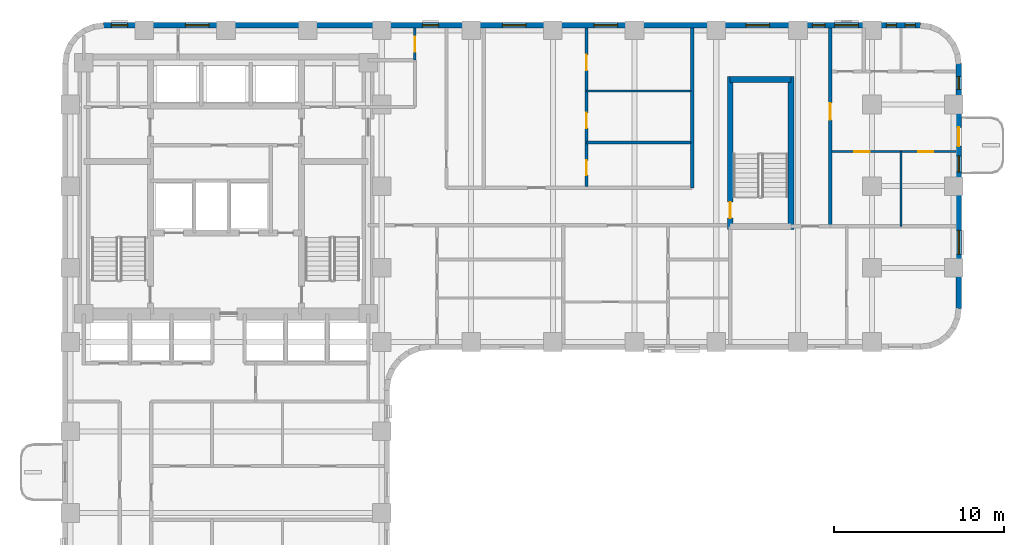
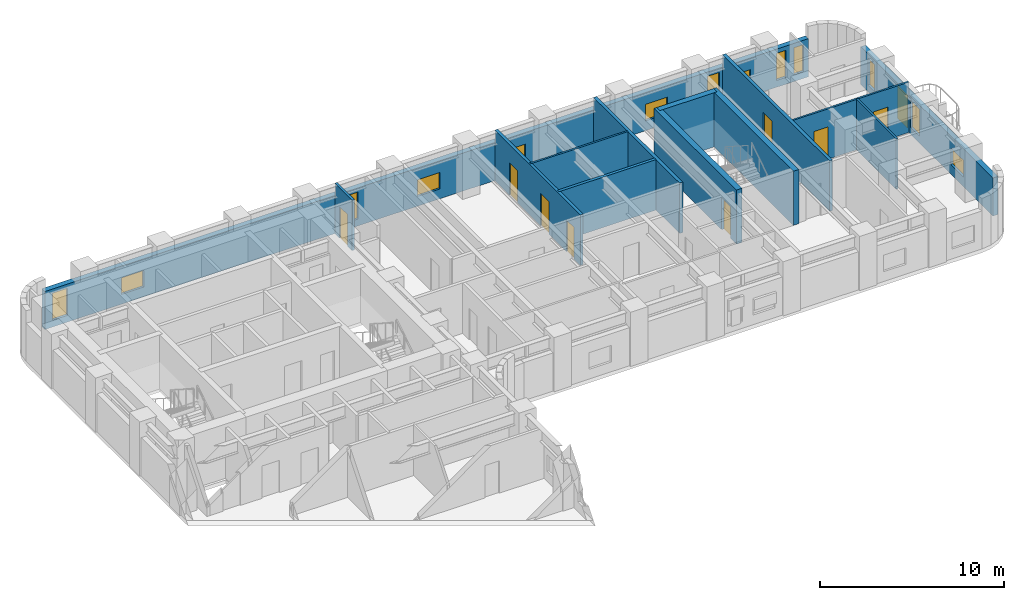
# One storey, part 8 of 12: 13 walls, 13 windows, 9 doors, 22 openings.
"""IFC4 building model written with IfcOpenShell, lengths in metres."""

import ifcopenshell
import ifcopenshell.guid

model = None  # the IFC model being written
_history = None  # IfcOwnerHistory: only IFC2X3 demands one
_inside = {}  # id of a spatial element -> (the spatial element, [elements in it])
_under = {}  # id of a project, library or spatial element -> (it, [spatial elements below it])
_declared = {}  # id of a project -> (the project, [libraries it declares])
_typed = {}  # id of a type object -> (the type object, [elements of that type])
_made_of = {}  # id of a material, layer set ... -> (it, [elements and type objects made of it])


def new_model(schema):
    """Start an empty IFC model of exactly this schema.

    Asked for "IFC4X3", IfcOpenShell would pick the latest addendum, in which some entities
    have other attributes; the version numbers below select the first issue.
    IFC2X3 requires an IfcOwnerHistory on every rooted entity: one is made here for all.
    """
    global model, _history
    if schema == "IFC4X3":
        model = ifcopenshell.file(schema_version=(4, 3, 0, 0))
    else:
        model = ifcopenshell.file(schema=schema)
    _inside.clear()
    _under.clear()
    _declared.clear()
    _typed.clear()
    _made_of.clear()
    _history = None
    if model.schema == "IFC2X3":
        org = make("IfcOrganization", Name="unknown")
        user = make(
            "IfcPersonAndOrganization",
            ThePerson=make("IfcPerson", FamilyName="unknown"),
            TheOrganization=org,
        )
        app = make(
            "IfcApplication",
            ApplicationDeveloper=org,
            Version="unknown",
            ApplicationFullName="unknown",
            ApplicationIdentifier="unknown",
        )
        _history = make(
            "IfcOwnerHistory",
            OwningUser=user,
            OwningApplication=app,
            ChangeAction="ADDED",
            CreationDate=0,
        )
    return model


def make(cls, **values):
    """One entity of the class cls with the attributes given. An attribute that is None is left unset."""
    return model.create_entity(
        cls, **{name: value for name, value in values.items() if value is not None}
    )


def rooted(cls, **values):
    """An entity with a GlobalId (a new one), such as an element, a storey or a relation."""
    return make(cls, GlobalId=ifcopenshell.guid.new(), OwnerHistory=_history, **values)


def si_unit(unit_type, name, prefix=None):
    """IfcSIUnit, for example si_unit("LENGTHUNIT", "METRE", prefix="MILLI")."""
    return make("IfcSIUnit", UnitType=unit_type, Prefix=prefix, Name=name)


def assignment(units):
    """IfcUnitAssignment: the units of a project."""
    return None if units is None else make("IfcUnitAssignment", Units=units)


def point(xyz):
    """IfcCartesianPoint."""
    return None if xyz is None else make("IfcCartesianPoint", Coordinates=xyz)


def direction(xyz):
    """IfcDirection."""
    return None if xyz is None else make("IfcDirection", DirectionRatios=xyz)


def frame(location, z_axis=None, x_axis=None):
    """IfcAxis2Placement3D, a coordinate frame: its origin and axes. An axis left out is left unset."""
    return make(
        "IfcAxis2Placement3D",
        Location=point(location),
        Axis=direction(z_axis),
        RefDirection=direction(x_axis),
    )


def frame_2d(location, x_axis=None):
    """IfcAxis2Placement2D, a coordinate frame in the plane: its origin and x axis."""
    return make(
        "IfcAxis2Placement2D", Location=point(location), RefDirection=direction(x_axis)
    )


def origin():
    """The frame at (0, 0, 0) with its axes left unset."""
    return frame((0.0, 0.0, 0.0))


def place(relative_to, where):
    """IfcLocalPlacement: puts the frame where relative to a parent placement (None: the world)."""
    return make(
        "IfcLocalPlacement", PlacementRelTo=relative_to, RelativePlacement=where
    )


def context(
    kind, dimensions, precision=None, world=None, true_north=None, identifier=None
):
    """IfcGeometricRepresentationContext, for example the 3D "Model" context."""
    return make(
        "IfcGeometricRepresentationContext",
        ContextIdentifier=identifier,
        ContextType=kind,
        CoordinateSpaceDimension=dimensions,
        Precision=precision,
        WorldCoordinateSystem=world,
        TrueNorth=true_north,
    )


def subcontext(parent, identifier, kind, view, scale=None):
    """IfcGeometricRepresentationSubContext, for example "Body" below "Model"."""
    return make(
        "IfcGeometricRepresentationSubContext",
        ContextIdentifier=identifier,
        ContextType=kind,
        ParentContext=parent,
        TargetScale=scale,
        TargetView=view,
    )


def project(units=None, contexts=None):
    """IfcProject with its units and contexts."""
    return rooted(
        "IfcProject",
        Name="project",
        RepresentationContexts=contexts,
        UnitsInContext=assignment(units),
    )


def spatial(cls, under=None, at=None, **own):
    """A site, building, storey or space (cls), placed at a placement, below another one or the project."""
    s = rooted(cls, ObjectPlacement=at, **own)
    if under is not None:
        _under.setdefault(under.id(), (under, []))[1].append(s)
    return s


def profile(cls, at=None, kind="AREA", **sizes):
    """A parametric profile (cls). Its sizes go by their IFC names, for example OverallWidth=200.0."""
    return make(cls, ProfileType=kind, Position=at, **sizes)


def rectangle(**sizes):
    """IfcRectangleProfileDef."""
    return profile("IfcRectangleProfileDef", **sizes)


def extrude(swept, where, along, depth):
    """IfcExtrudedAreaSolid: the profile swept, set in the frame where, extruded along a direction by depth."""
    return make(
        "IfcExtrudedAreaSolid",
        SweptArea=swept,
        Position=where,
        ExtrudedDirection=direction(along),
        Depth=depth,
    )


def shape(context_of_items, identifier, shape_type, items):
    """IfcShapeRepresentation: the items that make up one representation, for example the "Body"."""
    return make(
        "IfcShapeRepresentation",
        ContextOfItems=context_of_items,
        RepresentationIdentifier=identifier,
        RepresentationType=shape_type,
        Items=items,
    )


def material(Name=None, Category=None):
    """IfcMaterial."""
    return make("IfcMaterial", Name=Name, Category=Category)


def layer(
    of_material, thickness, ventilated=None, Name=None, Category=None, Priority=None
):
    """IfcMaterialLayer: one layer of a wall or slab, of a material (None: an air gap)."""
    return make(
        "IfcMaterialLayer",
        Material=of_material,
        LayerThickness=thickness,
        IsVentilated=ventilated,
        Name=Name,
        Category=Category,
        Priority=Priority,
    )


def layer_set(layers, Name=None):
    """IfcMaterialLayerSet."""
    return make("IfcMaterialLayerSet", MaterialLayers=layers, LayerSetName=Name)


def made_of(thing, what):
    """Note that an element or type object is made of a material, layer set ...; save() writes the relation."""
    if what is not None:
        _made_of.setdefault(what.id(), (what, []))[1].append(thing)
    return thing


def type_object(cls, material=None, **own):
    """A type object (cls), such as IfcWallType, which elements share."""
    return made_of(rooted(cls, **own), material)


def element(
    cls,
    number,
    at=None,
    inside=None,
    cuts=None,
    type_object=None,
    material=None,
    context=None,
    identifier="Body",
    shape_type=None,
    held_by="IfcProductDefinitionShape",
    body=None,
    shapes=None,
    **own,
):
    """One element of the class cls, such as IfcWall. Its Tag is "e" and its number.

    at: its placement. inside: the storey or other place that contains it. cuts: it is an
    opening in that element (IfcRelVoidsElement). A single representation is given by context,
    identifier, shape_type and body (its items); several are given by shapes. held_by: the class
    of the entity that holds the representations. save() writes the other relations.
    """
    e = rooted(cls, Tag="e%d" % number, ObjectPlacement=at, **own)
    if body is not None:
        shapes = [shape(context, identifier, shape_type, body)]
    if shapes is not None:
        e.Representation = make(held_by, Representations=shapes)
    if inside is not None:
        _inside.setdefault(inside.id(), (inside, []))[1].append(e)
    if cuts is not None:
        rooted(
            "IfcRelVoidsElement", RelatingBuildingElement=cuts, RelatedOpeningElement=e
        )
    if type_object is not None:
        _typed.setdefault(type_object.id(), (type_object, []))[1].append(e)
    return made_of(e, material)


def fill(opening, filler):
    """IfcRelFillsElement: the door or window that sits in an opening."""
    return rooted(
        "IfcRelFillsElement",
        RelatingOpeningElement=opening,
        RelatedBuildingElement=filler,
    )


def aggregate(whole, parts):
    """IfcRelAggregates: a whole, such as a stair, and the parts it consists of."""
    return rooted("IfcRelAggregates", RelatingObject=whole, RelatedObjects=parts)


def save(model, path):
    """Write the relations noted so far, then the file.

    IfcRelAggregates (storeys below a building ...), IfcRelContainedInSpatialStructure (elements
    in a storey), IfcRelDefinesByType, IfcRelAssociatesMaterial and IfcRelDeclares: one each for
    every whole, place, type object, material and project.
    """
    for whole, parts in _under.values():
        aggregate(whole, parts)
    for where, things in _inside.values():
        rooted(
            "IfcRelContainedInSpatialStructure",
            RelatedElements=things,
            RelatingStructure=where,
        )
    for kind, things in _typed.values():
        rooted("IfcRelDefinesByType", RelatedObjects=things, RelatingType=kind)
    for what, things in _made_of.values():
        rooted("IfcRelAssociatesMaterial", RelatedObjects=things, RelatingMaterial=what)
    for by, libraries in _declared.values():
        rooted("IfcRelDeclares", RelatingContext=by, RelatedDefinitions=libraries)
    model.write(path)


model = new_model("IFC4")

# Units and contexts
model_context = context("Model", 3, precision=1e-05, world=origin(), true_north=direction((0.0, 1.0)))
body_context = subcontext(model_context, "Body", "Model", "MODEL_VIEW")
ifc_project = project(units=[si_unit("LENGTHUNIT", "METRE"), si_unit("AREAUNIT", "SQUARE_METRE"), si_unit("VOLUMEUNIT", "CUBIC_METRE"), si_unit("PLANEANGLEUNIT", "RADIAN"), si_unit("MASSUNIT", "GRAM", prefix="KILO")], contexts=[model_context])

# Site, building, storey
site_placement = place(None, origin())
site = spatial("IfcSite", under=ifc_project, at=site_placement, CompositionType="ELEMENT")
building_placement = place(site_placement, origin())
building = spatial("IfcBuilding", under=site, at=building_placement, Name="Orvandelia Arch Residences", CompositionType="ELEMENT")
storey_placement = place(building_placement, frame((0.0, 0.0, 71.800048828125)))
storey = spatial("IfcBuildingStorey", under=building, at=storey_placement, Name="L18", CompositionType="ELEMENT", Elevation=71.800048828125)

# Wall, opening, door
ifc_material_1 = material(Name="Concrete C50/60", Category="concrete")
ifc_layer_1 = layer(ifc_material_1, 0.35009765625, Name="Concrete C50/60", Category="concrete")
ifc_layer_set_1 = layer_set([ifc_layer_1], Name="Concrete C50/60")
wall_type_1 = type_object("IfcWallType", Name="WL-CORE-350", PredefinedType="SHEAR", material=ifc_layer_set_1)
wall_1_placement = place(storey_placement, frame((44.02001953125, 35.864990234375, 0.0), z_axis=(0.0, 0.0, 1.0), x_axis=(0.0, 1.0, 0.0)))
wall_1 = element("IfcWall", 1, at=wall_1_placement, inside=storey, type_object=wall_type_1, Name="East Stair Core Shear Wall L18-W", PredefinedType="SHEAR", context=body_context, shape_type="SweptSolid", body=[
    extrude(rectangle(XDim=8.969970703125, YDim=0.35009765625, at=frame_2d((4.48486328125, 0.0))), origin(), (0.0, 0.0, 1.0), 3.599853515625),
])
opening_1_placement = place(wall_1_placement, frame((0.64990234375, 0.0, 0.0)))
opening_1 = element("IfcOpeningElement", 2, at=opening_1_placement, cuts=wall_1, Name="Opening D7", PredefinedType="OPENING", context=body_context, shape_type="SweptSolid", body=[
    extrude(rectangle(XDim=0.949951171875, YDim=2.10009765625, at=frame_2d((0.47509765625, 1.050048828125))), frame((0.0, 0.18505859375, 0.0), z_axis=(0.0, -1.0, 0.0), x_axis=(1.0, 0.0, 0.0)), (0.0, 0.0, 1.0), 0.3701171875),
])
ifc_material_2 = material(Name="Pressurised Stairwell Fire Door")
door_type_1 = type_object("IfcDoorType", Name="DR-STAIR-950", OperationType="NOTDEFINED", PredefinedType="DOOR", material=ifc_material_2)
door_1_placement = place(opening_1_placement, origin())
door_1 = element("IfcDoor", 3, at=door_1_placement, inside=storey, type_object=door_type_1, Name="East Stairwell ST-3 Fire Door L18", OperationType="SINGLE_SWING_LEFT", OverallHeight=2.10009765625, OverallWidth=0.949951171875, PredefinedType="DOOR", context=body_context, shape_type="SweptSolid", body=[
    extrude(rectangle(XDim=0.949951171875, YDim=2.10009765625, at=frame_2d((0.47509765625, 1.050048828125))), frame((0.0, 0.02490234375, 0.0), z_axis=(0.0, -1.0, 0.0), x_axis=(1.0, 0.0, 0.0)), (0.0, 0.0, 1.0), 0.050048828125),
])
fill(opening_1, door_1)

# Walls
wall_2_placement = place(storey_placement, frame((47.60009765625, 35.864990234375, 0.0), z_axis=(0.0, 0.0, 1.0), x_axis=(0.0, 1.0, 0.0)))
element("IfcWall", 4, at=wall_2_placement, inside=storey, type_object=wall_type_1, Name="East Stair Core Shear Wall L18-E", PredefinedType="SHEAR", context=body_context, shape_type="SweptSolid", body=[
    extrude(rectangle(XDim=8.969970703125, YDim=0.35009765625, at=frame_2d((4.48486328125, 0.0))), origin(), (0.0, 0.0, 1.0), 3.599853515625),
])
wall_3_placement = place(storey_placement, frame((44.02001953125, 44.659912109375, 0.0), z_axis=(0.0, 0.0, 1.0), x_axis=(1.0, 0.0, 0.0)))
element("IfcWall", 5, at=wall_3_placement, inside=storey, type_object=wall_type_1, Name="East Stair Core Shear Wall L18-N", PredefinedType="SHEAR", context=body_context, shape_type="SweptSolid", body=[
    extrude(rectangle(XDim=3.580078125, YDim=0.35009765625, at=frame_2d((1.7900390625, 0.0))), origin(), (0.0, 0.0, 1.0), 3.599853515625),
])
ifc_material_3 = material(Name="Fire-Rated Corridor Partition")
ifc_layer_2 = layer(ifc_material_3, 0.199951171875, Name="Fire-Rated Corridor Partition")
ifc_layer_set_2 = layer_set([ifc_layer_2], Name="Fire-Rated Corridor Partition")
wall_type_2 = type_object("IfcWallType", Name="WL-CORR-200", PredefinedType="PARTITIONING", material=ifc_layer_set_2)
wall_4_placement = place(storey_placement, frame((41.780029296875, 38.300048828125, 0.0), z_axis=(0.0, 0.0, 1.0), x_axis=(0.0, 1.0, 0.0)))
element("IfcWall", 6, at=wall_4_placement, inside=storey, type_object=wall_type_2, Name="Interior Partition Wall WL-L18-ETV-W", PredefinedType="PARTITIONING", context=body_context, shape_type="SweptSolid", body=[
    extrude(rectangle(XDim=9.3798828125, YDim=0.199951171875, at=frame_2d((4.68994140625, 0.0))), origin(), (0.0, 0.0, 1.0), 3.349853515625),
])

# Wall, opening, door
wall_5_placement = place(storey_placement, frame((49.89990234375, 36.0400390625, 0.0), z_axis=(0.0, 0.0, 1.0), x_axis=(0.0, 1.0, 0.0)))
wall_5 = element("IfcWall", 7, at=wall_5_placement, inside=storey, type_object=wall_type_2, Name="Interior Partition Wall WL-L18-ETE-E", PredefinedType="PARTITIONING", context=body_context, shape_type="SweptSolid", body=[
    extrude(rectangle(XDim=11.639892578125, YDim=0.199951171875, at=frame_2d((5.81982421875, 0.0))), origin(), (0.0, 0.0, 1.0), 3.349853515625),
])
opening_2_placement = place(wall_5_placement, frame((6.25146484375, 0.0, 0.0)))
opening_2 = element("IfcOpeningElement", 8, at=opening_2_placement, cuts=wall_5, Name="Opening D1", PredefinedType="OPENING", context=body_context, shape_type="SweptSolid", body=[
    extrude(rectangle(XDim=0.97998046875, YDim=2.179931640625, at=frame_2d((0.489990234375, 1.08984375))), frame((0.0, 0.10986328125, 0.0), z_axis=(0.0, -1.0, 0.0), x_axis=(1.0, 0.0, 0.0)), (0.0, 0.0, 1.0), 0.219970703125),
])
ifc_material_4 = material(Name="Solid-Core Timber Acoustic Fire Door", Category="wood")
door_type_2 = type_object("IfcDoorType", Name="DR-ENT-980", OperationType="NOTDEFINED", PredefinedType="DOOR", material=ifc_material_4)
door_2_placement = place(opening_2_placement, origin())
door_2 = element("IfcDoor", 9, at=door_2_placement, inside=storey, type_object=door_type_2, Name="Unit L18-07 Entrance Door", OperationType="SINGLE_SWING_LEFT", OverallHeight=2.179931640625, OverallWidth=0.97998046875, PredefinedType="DOOR", context=body_context, shape_type="SweptSolid", body=[
    extrude(rectangle(XDim=0.97998046875, YDim=2.179931640625, at=frame_2d((0.489990234375, 1.08984375))), frame((0.0, 0.02490234375, 0.0), z_axis=(0.0, -1.0, 0.0), x_axis=(1.0, 0.0, 0.0)), (0.0, 0.0, 1.0), 0.050048828125),
])
fill(opening_2, door_2)

# Wall, openings, windows
ifc_material_5 = material(Name="Precast concrete C40/50", Category="concrete")
ifc_layer_3 = layer(ifc_material_5, 0.320068359375, Name="Precast concrete C40/50", Category="concrete")
ifc_layer_set_3 = layer_set([ifc_layer_3], Name="Precast concrete C40/50")
wall_type_3 = type_object("IfcWallType", Name="WL-EXT-STONE-320", PredefinedType="STANDARD", material=ifc_layer_set_3)
wall_6_placement = place(storey_placement, frame((7.199951171875, 47.840087890625, 0.0), z_axis=(0.0, 0.0, 1.0), x_axis=(1.0, 0.0, 0.0)))
wall_6 = element("IfcWall", 10, at=wall_6_placement, inside=storey, type_object=wall_type_3, Name="Coral-Limestone Precast Facade Wall L18-007", PredefinedType="STANDARD", context=body_context, shape_type="SweptSolid", body=[
    extrude(rectangle(XDim=48.0, YDim=0.320068359375, at=frame_2d((24.0, 0.0))), origin(), (0.0, 0.0, 1.0), 2.530029296875),
])
opening_3_placement = place(wall_6_placement, frame((28.803466796875, 0.0, 0.64990234375)))
opening_3 = element("IfcOpeningElement", 11, at=opening_3_placement, cuts=wall_6, Name="Opening W10", PredefinedType="OPENING", context=body_context, shape_type="SweptSolid", body=[
    extrude(rectangle(XDim=1.39990234375, YDim=1.10009765625, at=frame_2d((0.699951171875, 0.550048828125))), frame((0.0, 0.169921875, 0.0), z_axis=(0.0, -1.0, 0.0), x_axis=(1.0, 0.0, 0.0)), (0.0, 0.0, 1.0), 0.340087890625),
])
opening_4_placement = place(wall_6_placement, frame((47.093994140625, 0.0, 0.449951171875)))
opening_4 = element("IfcOpeningElement", 12, at=opening_4_placement, cuts=wall_6, Name="Opening W12", PredefinedType="OPENING", context=body_context, shape_type="SweptSolid", body=[
    extrude(rectangle(XDim=0.60009765625, YDim=1.800048828125, at=frame_2d((0.300048828125, 0.89990234375))), frame((0.0, 0.169921875, 0.0), z_axis=(0.0, -1.0, 0.0), x_axis=(1.0, 0.0, 0.0)), (0.0, 0.0, 1.0), 0.340087890625),
])
opening_5_placement = place(wall_6_placement, frame((18.739990234375, 0.0, 0.449951171875)))
opening_5 = element("IfcOpeningElement", 13, at=opening_5_placement, cuts=wall_6, Name="Opening W4", PredefinedType="OPENING", context=body_context, shape_type="SweptSolid", body=[
    extrude(rectangle(XDim=0.949951171875, YDim=1.800048828125, at=frame_2d((0.47509765625, 0.89990234375))), frame((0.0, 0.169921875, 0.0), z_axis=(0.0, -1.0, 0.0), x_axis=(1.0, 0.0, 0.0)), (0.0, 0.0, 1.0), 0.340087890625),
])
opening_6_placement = place(wall_6_placement, frame((41.64990234375, 0.0, 0.449951171875)))
opening_6 = element("IfcOpeningElement", 14, at=opening_6_placement, cuts=wall_6, Name="Opening W11", PredefinedType="OPENING", context=body_context, shape_type="SweptSolid", body=[
    extrude(rectangle(XDim=0.75, YDim=1.800048828125, at=frame_2d((0.375, 0.89990234375))), frame((0.0, 0.169921875, 0.0), z_axis=(0.0, -1.0, 0.0), x_axis=(1.0, 0.0, 0.0)), (0.0, 0.0, 1.0), 0.340087890625),
])
opening_7_placement = place(wall_6_placement, frame((37.736083984375, 0.0, 0.64990234375)))
opening_7 = element("IfcOpeningElement", 15, at=opening_7_placement, cuts=wall_6, Name="Opening W10", PredefinedType="OPENING", context=body_context, shape_type="SweptSolid", body=[
    extrude(rectangle(XDim=1.39990234375, YDim=1.10009765625, at=frame_2d((0.699951171875, 0.550048828125))), frame((0.0, 0.169921875, 0.0), z_axis=(0.0, -1.0, 0.0), x_axis=(1.0, 0.0, 0.0)), (0.0, 0.0, 1.0), 0.340087890625),
])
opening_8_placement = place(wall_6_placement, frame((0.469970703125, 0.0, 0.449951171875)))
opening_8 = element("IfcOpeningElement", 16, at=opening_8_placement, cuts=wall_6, Name="Opening W4", PredefinedType="OPENING", context=body_context, shape_type="SweptSolid", body=[
    extrude(rectangle(XDim=0.949951171875, YDim=1.800048828125, at=frame_2d((0.47509765625, 0.89990234375))), frame((0.0, 0.169921875, 0.0), z_axis=(0.0, -1.0, 0.0), x_axis=(1.0, 0.0, 0.0)), (0.0, 0.0, 1.0), 0.340087890625),
])
opening_9_placement = place(wall_6_placement, frame((4.81494140625, 0.0, 0.64990234375)))
opening_9 = element("IfcOpeningElement", 17, at=opening_9_placement, cuts=wall_6, Name="Opening W10", PredefinedType="OPENING", context=body_context, shape_type="SweptSolid", body=[
    extrude(rectangle(XDim=1.39990234375, YDim=1.10009765625, at=frame_2d((0.699951171875, 0.550048828125))), frame((0.0, 0.169921875, 0.0), z_axis=(0.0, -1.0, 0.0), x_axis=(1.0, 0.0, 0.0)), (0.0, 0.0, 1.0), 0.340087890625),
])
opening_10_placement = place(wall_6_placement, frame((23.429931640625, 0.0, 0.64990234375)))
opening_10 = element("IfcOpeningElement", 18, at=opening_10_placement, cuts=wall_6, Name="Opening W10", PredefinedType="OPENING", context=body_context, shape_type="SweptSolid", body=[
    extrude(rectangle(XDim=1.39990234375, YDim=1.10009765625, at=frame_2d((0.699951171875, 0.550048828125))), frame((0.0, 0.169921875, 0.0), z_axis=(0.0, -1.0, 0.0), x_axis=(1.0, 0.0, 0.0)), (0.0, 0.0, 1.0), 0.340087890625),
])
opening_11_placement = place(wall_6_placement, frame((42.949951171875, 0.0, 0.64990234375)))
opening_11 = element("IfcOpeningElement", 19, at=opening_11_placement, cuts=wall_6, Name="Opening W10", PredefinedType="OPENING", context=body_context, shape_type="SweptSolid", body=[
    extrude(rectangle(XDim=1.39990234375, YDim=1.10009765625, at=frame_2d((0.699951171875, 0.550048828125))), frame((0.0, 0.169921875, 0.0), z_axis=(0.0, -1.0, 0.0), x_axis=(1.0, 0.0, 0.0)), (0.0, 0.0, 1.0), 0.340087890625),
])
opening_12_placement = place(wall_6_placement, frame((45.98388671875, 0.0, 0.449951171875)))
opening_12 = element("IfcOpeningElement", 20, at=opening_12_placement, cuts=wall_6, Name="Opening W12", PredefinedType="OPENING", context=body_context, shape_type="SweptSolid", body=[
    extrude(rectangle(XDim=0.60009765625, YDim=1.800048828125, at=frame_2d((0.300048828125, 0.89990234375))), frame((0.0, 0.169921875, 0.0), z_axis=(0.0, -1.0, 0.0), x_axis=(1.0, 0.0, 0.0)), (0.0, 0.0, 1.0), 0.340087890625),
])
ifc_material_6 = material(Name="Tempered Low-E Insulated Glazing", Category="glass")
window_type_1 = type_object("IfcWindowType", Name="WIN-BED-0750x1800", PartitioningType="SINGLE_PANEL", PredefinedType="WINDOW", material=ifc_material_6)
window_1_placement = place(opening_6_placement, origin())
window_1 = element("IfcWindow", 21, at=window_1_placement, inside=storey, type_object=window_type_1, Name="Recessed Punched Window L18-004", OverallHeight=1.800048828125, OverallWidth=0.75, PartitioningType="SINGLE_PANEL", PredefinedType="WINDOW", context=body_context, shape_type="SweptSolid", body=[
    extrude(rectangle(XDim=0.75, YDim=1.800048828125, at=frame_2d((0.375, 0.89990234375))), frame((0.0, 0.030029296875, 0.0), z_axis=(0.0, -1.0, 0.0), x_axis=(1.0, 0.0, 0.0)), (0.0, 0.0, 1.0), 0.06005859375),
])
fill(opening_6, window_1)
window_type_2 = type_object("IfcWindowType", Name="WIN-CLR-1400x1100", PartitioningType="SINGLE_PANEL", PredefinedType="WINDOW", material=ifc_material_6)
window_2_placement = place(opening_3_placement, origin())
window_2 = element("IfcWindow", 22, at=window_2_placement, inside=storey, type_object=window_type_2, Name="Recessed Punched Window L18-001", OverallHeight=1.10009765625, OverallWidth=1.39990234375, PartitioningType="SINGLE_PANEL", PredefinedType="WINDOW", context=body_context, shape_type="SweptSolid", body=[
    extrude(rectangle(XDim=1.39990234375, YDim=1.10009765625, at=frame_2d((0.699951171875, 0.550048828125))), frame((0.0, 0.030029296875, 0.0), z_axis=(0.0, -1.0, 0.0), x_axis=(1.0, 0.0, 0.0)), (0.0, 0.0, 1.0), 0.06005859375),
])
fill(opening_3, window_2)
window_3_placement = place(opening_7_placement, origin())
window_3 = element("IfcWindow", 23, at=window_3_placement, inside=storey, type_object=window_type_2, Name="Recessed Punched Window L18-005", OverallHeight=1.10009765625, OverallWidth=1.39990234375, PartitioningType="SINGLE_PANEL", PredefinedType="WINDOW", context=body_context, shape_type="SweptSolid", body=[
    extrude(rectangle(XDim=1.39990234375, YDim=1.10009765625, at=frame_2d((0.699951171875, 0.550048828125))), frame((0.0, 0.030029296875, 0.0), z_axis=(0.0, -1.0, 0.0), x_axis=(1.0, 0.0, 0.0)), (0.0, 0.0, 1.0), 0.06005859375),
])
fill(opening_7, window_3)
window_4_placement = place(opening_9_placement, origin())
window_4 = element("IfcWindow", 24, at=window_4_placement, inside=storey, type_object=window_type_2, Name="Recessed Punched Window L18-007", OverallHeight=1.10009765625, OverallWidth=1.39990234375, PartitioningType="SINGLE_PANEL", PredefinedType="WINDOW", context=body_context, shape_type="SweptSolid", body=[
    extrude(rectangle(XDim=1.39990234375, YDim=1.10009765625, at=frame_2d((0.699951171875, 0.550048828125))), frame((0.0, 0.030029296875, 0.0), z_axis=(0.0, -1.0, 0.0), x_axis=(1.0, 0.0, 0.0)), (0.0, 0.0, 1.0), 0.06005859375),
])
fill(opening_9, window_4)
window_5_placement = place(opening_10_placement, origin())
window_5 = element("IfcWindow", 25, at=window_5_placement, inside=storey, type_object=window_type_2, Name="Recessed Punched Window L18-008", OverallHeight=1.10009765625, OverallWidth=1.39990234375, PartitioningType="SINGLE_PANEL", PredefinedType="WINDOW", context=body_context, shape_type="SweptSolid", body=[
    extrude(rectangle(XDim=1.39990234375, YDim=1.10009765625, at=frame_2d((0.699951171875, 0.550048828125))), frame((0.0, 0.030029296875, 0.0), z_axis=(0.0, -1.0, 0.0), x_axis=(1.0, 0.0, 0.0)), (0.0, 0.0, 1.0), 0.06005859375),
])
fill(opening_10, window_5)
window_6_placement = place(opening_11_placement, origin())
window_6 = element("IfcWindow", 26, at=window_6_placement, inside=storey, type_object=window_type_2, Name="Recessed Punched Window L18-009", OverallHeight=1.10009765625, OverallWidth=1.39990234375, PartitioningType="SINGLE_PANEL", PredefinedType="WINDOW", context=body_context, shape_type="SweptSolid", body=[
    extrude(rectangle(XDim=1.39990234375, YDim=1.10009765625, at=frame_2d((0.699951171875, 0.550048828125))), frame((0.0, 0.030029296875, 0.0), z_axis=(0.0, -1.0, 0.0), x_axis=(1.0, 0.0, 0.0)), (0.0, 0.0, 1.0), 0.06005859375),
])
fill(opening_11, window_6)
window_type_3 = type_object("IfcWindowType", Name="WIN-LAN-0600x1800", PartitioningType="SINGLE_PANEL", PredefinedType="WINDOW", material=ifc_material_6)
window_7_placement = place(opening_4_placement, origin())
window_7 = element("IfcWindow", 27, at=window_7_placement, inside=storey, type_object=window_type_3, Name="Recessed Punched Window L18-002", OverallHeight=1.800048828125, OverallWidth=0.60009765625, PartitioningType="SINGLE_PANEL", PredefinedType="WINDOW", context=body_context, shape_type="SweptSolid", body=[
    extrude(rectangle(XDim=0.60009765625, YDim=1.800048828125, at=frame_2d((0.300048828125, 0.89990234375))), frame((0.0, 0.030029296875, 0.0), z_axis=(0.0, -1.0, 0.0), x_axis=(1.0, 0.0, 0.0)), (0.0, 0.0, 1.0), 0.06005859375),
])
fill(opening_4, window_7)
window_8_placement = place(opening_12_placement, origin())
window_8 = element("IfcWindow", 28, at=window_8_placement, inside=storey, type_object=window_type_3, Name="Recessed Punched Window L18-010", OverallHeight=1.800048828125, OverallWidth=0.60009765625, PartitioningType="SINGLE_PANEL", PredefinedType="WINDOW", context=body_context, shape_type="SweptSolid", body=[
    extrude(rectangle(XDim=0.60009765625, YDim=1.800048828125, at=frame_2d((0.300048828125, 0.89990234375))), frame((0.0, 0.030029296875, 0.0), z_axis=(0.0, -1.0, 0.0), x_axis=(1.0, 0.0, 0.0)), (0.0, 0.0, 1.0), 0.06005859375),
])
fill(opening_12, window_8)
window_type_4 = type_object("IfcWindowType", Name="WIN-RES-0950x1800", PartitioningType="SINGLE_PANEL", PredefinedType="WINDOW", material=ifc_material_6)
window_9_placement = place(opening_5_placement, origin())
window_9 = element("IfcWindow", 29, at=window_9_placement, inside=storey, type_object=window_type_4, Name="Recessed Punched Window L18-003", OverallHeight=1.800048828125, OverallWidth=0.949951171875, PartitioningType="SINGLE_PANEL", PredefinedType="WINDOW", context=body_context, shape_type="SweptSolid", body=[
    extrude(rectangle(XDim=0.949951171875, YDim=1.800048828125, at=frame_2d((0.47509765625, 0.89990234375))), frame((0.0, 0.030029296875, 0.0), z_axis=(0.0, -1.0, 0.0), x_axis=(1.0, 0.0, 0.0)), (0.0, 0.0, 1.0), 0.06005859375),
])
fill(opening_5, window_9)
window_10_placement = place(opening_8_placement, origin())
window_10 = element("IfcWindow", 30, at=window_10_placement, inside=storey, type_object=window_type_4, Name="Recessed Punched Window L18-006", OverallHeight=1.800048828125, OverallWidth=0.949951171875, PartitioningType="SINGLE_PANEL", PredefinedType="WINDOW", context=body_context, shape_type="SweptSolid", body=[
    extrude(rectangle(XDim=0.949951171875, YDim=1.800048828125, at=frame_2d((0.47509765625, 0.89990234375))), frame((0.0, 0.030029296875, 0.0), z_axis=(0.0, -1.0, 0.0), x_axis=(1.0, 0.0, 0.0)), (0.0, 0.0, 1.0), 0.06005859375),
])
fill(opening_8, window_10)

# Wall, openings, door, windows
wall_7_placement = place(storey_placement, frame((57.43994140625, 45.60009765625, 0.0), z_axis=(0.0, 0.0, 1.0), x_axis=(0.0, -1.0, 0.0)))
wall_7 = element("IfcWall", 31, at=wall_7_placement, inside=storey, type_object=wall_type_3, Name="Coral-Limestone Precast Facade Wall L18-014", PredefinedType="STANDARD", context=body_context, shape_type="SweptSolid", body=[
    extrude(rectangle(XDim=14.400146484375, YDim=0.320068359375, at=frame_2d((7.2001953125, 0.0))), origin(), (0.0, 0.0, 1.0), 2.530029296875),
])
opening_13_placement = place(wall_7_placement, frame((3.75, 0.0, 0.0)))
opening_13 = element("IfcOpeningElement", 32, at=opening_13_placement, cuts=wall_7, Name="Opening BD1", PredefinedType="OPENING", context=body_context, shape_type="SweptSolid", body=[
    extrude(rectangle(XDim=1.10009765625, YDim=2.14990234375, at=frame_2d((0.550048828125, 1.074951171875))), frame((0.0, 0.169921875, 0.0), z_axis=(0.0, -1.0, 0.0), x_axis=(1.0, 0.0, 0.0)), (0.0, 0.0, 1.0), 0.340087890625),
])
opening_14_placement = place(wall_7_placement, frame((5.427978515625, 0.0, 0.449951171875)))
opening_14 = element("IfcOpeningElement", 33, at=opening_14_placement, cuts=wall_7, Name="Opening W4", PredefinedType="OPENING", context=body_context, shape_type="SweptSolid", body=[
    extrude(rectangle(XDim=0.949951171875, YDim=1.800048828125, at=frame_2d((0.47509765625, 0.89990234375))), frame((0.0, 0.169921875, 0.0), z_axis=(0.0, -1.0, 0.0), x_axis=(1.0, 0.0, 0.0)), (0.0, 0.0, 1.0), 0.340087890625),
])
opening_15_placement = place(wall_7_placement, frame((9.800048828125, 0.0, 0.64990234375)))
opening_15 = element("IfcOpeningElement", 34, at=opening_15_placement, cuts=wall_7, Name="Opening W10", PredefinedType="OPENING", context=body_context, shape_type="SweptSolid", body=[
    extrude(rectangle(XDim=1.39990234375, YDim=1.10009765625, at=frame_2d((0.699951171875, 0.550048828125))), frame((0.0, 0.169921875, 0.0), z_axis=(0.0, -1.0, 0.0), x_axis=(1.0, 0.0, 0.0)), (0.0, 0.0, 1.0), 0.340087890625),
])
opening_16_placement = place(wall_7_placement, frame((0.7705078125, 0.0, 0.449951171875)))
opening_16 = element("IfcOpeningElement", 35, at=opening_16_placement, cuts=wall_7, Name="Opening W11", PredefinedType="OPENING", context=body_context, shape_type="SweptSolid", body=[
    extrude(rectangle(XDim=0.75, YDim=1.800048828125, at=frame_2d((0.375, 0.89990234375))), frame((0.0, 0.169921875, 0.0), z_axis=(0.0, -1.0, 0.0), x_axis=(1.0, 0.0, 0.0)), (0.0, 0.0, 1.0), 0.340087890625),
])
ifc_material_7 = material(Name="Thermally Broken Aluminium Glazed Door", Category="aluminium")
door_type_3 = type_object("IfcDoorType", Name="DR-BAL-GLAZ-1100", OperationType="NOTDEFINED", PredefinedType="DOOR", material=ifc_material_7)
door_3_placement = place(opening_13_placement, origin())
door_3 = element("IfcDoor", 36, at=door_3_placement, inside=storey, type_object=door_type_3, Name="Tree Balcony Glazed Door BAL-L18-E1", OperationType="SINGLE_SWING_LEFT", OverallHeight=2.14990234375, OverallWidth=1.10009765625, PredefinedType="DOOR", context=body_context, shape_type="SweptSolid", body=[
    extrude(rectangle(XDim=1.10009765625, YDim=2.14990234375, at=frame_2d((0.550048828125, 1.074951171875))), frame((0.0, 0.02490234375, 0.0), z_axis=(0.0, -1.0, 0.0), x_axis=(1.0, 0.0, 0.0)), (0.0, 0.0, 1.0), 0.050048828125),
])
fill(opening_13, door_3)
window_11_placement = place(opening_16_placement, origin())
window_11 = element("IfcWindow", 37, at=window_11_placement, inside=storey, type_object=window_type_1, Name="Recessed Punched Window L18-013", OverallHeight=1.800048828125, OverallWidth=0.75, PartitioningType="SINGLE_PANEL", PredefinedType="WINDOW", context=body_context, shape_type="SweptSolid", body=[
    extrude(rectangle(XDim=0.75, YDim=1.800048828125, at=frame_2d((0.375, 0.89990234375))), frame((0.0, 0.030029296875, 0.0), z_axis=(0.0, -1.0, 0.0), x_axis=(1.0, 0.0, 0.0)), (0.0, 0.0, 1.0), 0.06005859375),
])
fill(opening_16, window_11)
window_12_placement = place(opening_15_placement, origin())
window_12 = element("IfcWindow", 38, at=window_12_placement, inside=storey, type_object=window_type_2, Name="Recessed Punched Window L18-012", OverallHeight=1.10009765625, OverallWidth=1.39990234375, PartitioningType="SINGLE_PANEL", PredefinedType="WINDOW", context=body_context, shape_type="SweptSolid", body=[
    extrude(rectangle(XDim=1.39990234375, YDim=1.10009765625, at=frame_2d((0.699951171875, 0.550048828125))), frame((0.0, 0.030029296875, 0.0), z_axis=(0.0, -1.0, 0.0), x_axis=(1.0, 0.0, 0.0)), (0.0, 0.0, 1.0), 0.06005859375),
])
fill(opening_15, window_12)
window_13_placement = place(opening_14_placement, origin())
window_13 = element("IfcWindow", 39, at=window_13_placement, inside=storey, type_object=window_type_4, Name="Recessed Punched Window L18-011", OverallHeight=1.800048828125, OverallWidth=0.949951171875, PartitioningType="SINGLE_PANEL", PredefinedType="WINDOW", context=body_context, shape_type="SweptSolid", body=[
    extrude(rectangle(XDim=0.949951171875, YDim=1.800048828125, at=frame_2d((0.47509765625, 0.89990234375))), frame((0.0, 0.030029296875, 0.0), z_axis=(0.0, -1.0, 0.0), x_axis=(1.0, 0.0, 0.0)), (0.0, 0.0, 1.0), 0.06005859375),
])
fill(opening_14, window_13)

# Wall
ifc_material_8 = material(Name="Lightweight Gypsum Stud Partition")
ifc_layer_4 = layer(ifc_material_8, 0.1201171875, Name="Lightweight Gypsum Stud Partition")
ifc_layer_set_4 = layer_set([ifc_layer_4], Name="Lightweight Gypsum Stud Partition")
wall_type_4 = type_object("IfcWallType", Name="WL-PART-120", PredefinedType="PARTITIONING", material=ifc_layer_set_4)
wall_8_placement = place(storey_placement, frame((35.576904296875, 43.99609375, 0.0), z_axis=(0.0, 0.0, 1.0), x_axis=(1.0, 0.0, 0.0)))
element("IfcWall", 40, at=wall_8_placement, inside=storey, type_object=wall_type_4, Name="Interior Partition Wall WL-L18-U06-H2", PredefinedType="PARTITIONING", context=body_context, shape_type="SweptSolid", body=[
    extrude(rectangle(XDim=6.123046875, YDim=0.1201171875, at=frame_2d((3.0615234375, 0.0))), origin(), (0.0, 0.0, 1.0), 3.349853515625),
])

# Wall, openings, doors
wall_9_placement = place(storey_placement, frame((50.0, 40.424072265625, 0.0), z_axis=(0.0, 0.0, 1.0), x_axis=(1.0, 0.0, 0.0)))
wall_9 = element("IfcWall", 41, at=wall_9_placement, inside=storey, type_object=wall_type_4, Name="Interior Partition Wall WL-L18-U07-HB", PredefinedType="PARTITIONING", context=body_context, shape_type="SweptSolid", body=[
    extrude(rectangle(XDim=7.280029296875, YDim=0.1201171875, at=frame_2d((3.64013671875, 0.0))), origin(), (0.0, 0.0, 1.0), 3.349853515625),
])
opening_17_placement = place(wall_9_placement, frame((1.30419921875, 0.0, 0.0)))
opening_17 = element("IfcOpeningElement", 42, at=opening_17_placement, cuts=wall_9, Name="Opening D3", PredefinedType="OPENING", context=body_context, shape_type="SweptSolid", body=[
    extrude(rectangle(XDim=0.89990234375, YDim=2.14990234375, at=frame_2d((0.449951171875, 1.074951171875))), frame((0.0, 0.070068359375, 0.0), z_axis=(0.0, -1.0, 0.0), x_axis=(1.0, 0.0, 0.0)), (0.0, 0.0, 1.0), 0.14013671875),
])
opening_18_placement = place(wall_9_placement, frame((5.056884765625, 0.0, 0.0)))
opening_18 = element("IfcOpeningElement", 43, at=opening_18_placement, cuts=wall_9, Name="Opening D3", PredefinedType="OPENING", context=body_context, shape_type="SweptSolid", body=[
    extrude(rectangle(XDim=0.89990234375, YDim=2.14990234375, at=frame_2d((0.449951171875, 1.074951171875))), frame((0.0, 0.070068359375, 0.0), z_axis=(0.0, -1.0, 0.0), x_axis=(1.0, 0.0, 0.0)), (0.0, 0.0, 1.0), 0.14013671875),
])
ifc_material_9 = material(Name="Engineered Timber Flush Door", Category="wood")
door_type_4 = type_object("IfcDoorType", Name="DR-INT-900", OperationType="NOTDEFINED", PredefinedType="DOOR", material=ifc_material_9)
door_4_placement = place(opening_17_placement, origin())
door_4 = element("IfcDoor", 44, at=door_4_placement, inside=storey, type_object=door_type_4, Name="DR-L18-U07-STDY", OperationType="SINGLE_SWING_LEFT", OverallHeight=2.14990234375, OverallWidth=0.89990234375, PredefinedType="DOOR", context=body_context, shape_type="SweptSolid", body=[
    extrude(rectangle(XDim=0.89990234375, YDim=2.14990234375, at=frame_2d((0.449951171875, 1.074951171875))), frame((0.0, 0.02490234375, 0.0), z_axis=(0.0, -1.0, 0.0), x_axis=(1.0, 0.0, 0.0)), (0.0, 0.0, 1.0), 0.050048828125),
])
fill(opening_17, door_4)
door_5_placement = place(opening_18_placement, origin())
door_5 = element("IfcDoor", 45, at=door_5_placement, inside=storey, type_object=door_type_4, Name="DR-L18-U07-BD2", OperationType="SINGLE_SWING_RIGHT", OverallHeight=2.14990234375, OverallWidth=0.89990234375, PredefinedType="DOOR", context=body_context, shape_type="SweptSolid", body=[
    extrude(rectangle(XDim=0.89990234375, YDim=2.14990234375, at=frame_2d((0.449951171875, 1.074951171875))), frame((0.0, 0.02490234375, 0.0), z_axis=(0.0, -1.0, 0.0), x_axis=(1.0, 0.0, 0.0)), (0.0, 0.0, 1.0), 0.050048828125),
])
fill(opening_18, door_5)

# Wall
wall_10_placement = place(storey_placement, frame((54.048095703125, 36.0400390625, 0.0), z_axis=(0.0, 0.0, 1.0), x_axis=(0.0, 1.0, 0.0)))
element("IfcWall", 46, at=wall_10_placement, inside=storey, type_object=wall_type_4, Name="Interior Partition Wall WL-L18-U07-VB", PredefinedType="PARTITIONING", context=body_context, shape_type="SweptSolid", body=[
    extrude(rectangle(XDim=4.384033203125, YDim=0.1201171875, at=frame_2d((2.19189453125, 0.0))), origin(), (0.0, 0.0, 1.0), 3.349853515625),
])

# Wall, opening, door
ifc_material_10 = material(Name="Acoustic Gypsum Stud Partition")
ifc_layer_5 = layer(ifc_material_10, 0.14990234375, Name="Acoustic Gypsum Stud Partition")
ifc_layer_set_5 = layer_set([ifc_layer_5], Name="Acoustic Gypsum Stud Partition")
wall_type_5 = type_object("IfcWallType", Name="WL-PART-150", PredefinedType="PARTITIONING", material=ifc_layer_set_5)
wall_11_placement = place(storey_placement, frame((25.5, 45.800048828125, 0.0), z_axis=(0.0, 0.0, 1.0), x_axis=(0.0, 1.0, 0.0)))
wall_11 = element("IfcWall", 47, at=wall_11_placement, inside=storey, type_object=wall_type_5, Name="Interior Partition Wall WL-L18-NCE-W", PredefinedType="PARTITIONING", context=body_context, shape_type="SweptSolid", body=[
    extrude(rectangle(XDim=1.8798828125, YDim=0.14990234375, at=frame_2d((0.93994140625, 0.0))), origin(), (0.0, 0.0, 1.0), 3.349853515625),
])
opening_19_placement = place(wall_11_placement, frame((0.5, 0.0, 0.0)))
opening_19 = element("IfcOpeningElement", 48, at=opening_19_placement, cuts=wall_11, Name="Opening D5", PredefinedType="OPENING", context=body_context, shape_type="SweptSolid", body=[
    extrude(rectangle(XDim=0.8798828125, YDim=2.10009765625, at=frame_2d((0.43994140625, 1.050048828125))), frame((0.0, 0.0849609375, 0.0), z_axis=(0.0, -1.0, 0.0), x_axis=(1.0, 0.0, 0.0)), (0.0, 0.0, 1.0), 0.169921875),
])
ifc_material_11 = material(Name="Painted Galvanised Steel Service Door", Category="steel")
door_type_5 = type_object("IfcDoorType", Name="DR-SRV-880", OperationType="NOTDEFINED", PredefinedType="DOOR", material=ifc_material_11)
door_6_placement = place(opening_19_placement, origin())
door_6 = element("IfcDoor", 49, at=door_6_placement, inside=storey, type_object=door_type_5, Name="DR-L18-NCS2", OperationType="SINGLE_SWING_LEFT", OverallHeight=2.10009765625, OverallWidth=0.8798828125, PredefinedType="DOOR", context=body_context, shape_type="SweptSolid", body=[
    extrude(rectangle(XDim=0.8798828125, YDim=2.10009765625, at=frame_2d((0.43994140625, 1.050048828125))), frame((0.0, 0.02490234375, 0.0), z_axis=(0.0, -1.0, 0.0), x_axis=(1.0, 0.0, 0.0)), (0.0, 0.0, 1.0), 0.050048828125),
])
fill(opening_19, door_6)

# Wall, openings, doors
ifc_material_12 = material(Name="Moisture-Resistant Plumbing Wall")
ifc_layer_6 = layer(ifc_material_12, 0.179931640625, Name="Moisture-Resistant Plumbing Wall")
ifc_layer_set_6 = layer_set([ifc_layer_6], Name="Moisture-Resistant Plumbing Wall")
wall_type_6 = type_object("IfcWallType", Name="WL-WET-180", PredefinedType="PLUMBINGWALL", material=ifc_layer_set_6)
wall_12_placement = place(storey_placement, frame((35.576904296875, 38.3798828125, 0.0), z_axis=(0.0, 0.0, 1.0), x_axis=(0.0, 1.0, 0.0)))
wall_12 = element("IfcWall", 50, at=wall_12_placement, inside=storey, type_object=wall_type_6, Name="Interior Partition Wall WL-L18-U06-VT", PredefinedType="PLUMBINGWALL", context=body_context, shape_type="SweptSolid", body=[
    extrude(rectangle(XDim=9.300048828125, YDim=0.179931640625, at=frame_2d((4.64990234375, 0.0))), origin(), (0.0, 0.0, 1.0), 3.349853515625),
])
opening_20_placement = place(wall_12_placement, frame((0.66748046875, 0.0, 0.0)))
opening_20 = element("IfcOpeningElement", 51, at=opening_20_placement, cuts=wall_12, Name="Opening D4", PredefinedType="OPENING", context=body_context, shape_type="SweptSolid", body=[
    extrude(rectangle(XDim=0.860107421875, YDim=2.10009765625, at=frame_2d((0.43017578125, 1.050048828125))), frame((0.0, 0.10009765625, 0.0), z_axis=(0.0, -1.0, 0.0), x_axis=(1.0, 0.0, 0.0)), (0.0, 0.0, 1.0), 0.199951171875),
])
opening_21_placement = place(wall_12_placement, frame((3.430419921875, 0.0, 0.0)))
opening_21 = element("IfcOpeningElement", 52, at=opening_21_placement, cuts=wall_12, Name="Opening D3", PredefinedType="OPENING", context=body_context, shape_type="SweptSolid", body=[
    extrude(rectangle(XDim=0.89990234375, YDim=2.14990234375, at=frame_2d((0.449951171875, 1.074951171875))), frame((0.0, 0.10009765625, 0.0), z_axis=(0.0, -1.0, 0.0), x_axis=(1.0, 0.0, 0.0)), (0.0, 0.0, 1.0), 0.199951171875),
])
opening_22_placement = place(wall_12_placement, frame((6.828369140625, 0.0, 0.0)))
opening_22 = element("IfcOpeningElement", 53, at=opening_22_placement, cuts=wall_12, Name="Opening D3", PredefinedType="OPENING", context=body_context, shape_type="SweptSolid", body=[
    extrude(rectangle(XDim=0.89990234375, YDim=2.14990234375, at=frame_2d((0.449951171875, 1.074951171875))), frame((0.0, 0.10009765625, 0.0), z_axis=(0.0, -1.0, 0.0), x_axis=(1.0, 0.0, 0.0)), (0.0, 0.0, 1.0), 0.199951171875),
])
door_7_placement = place(opening_21_placement, origin())
door_7 = element("IfcDoor", 54, at=door_7_placement, inside=storey, type_object=door_type_4, Name="DR-L18-U06-KIT", OperationType="SINGLE_SWING_RIGHT", OverallHeight=2.14990234375, OverallWidth=0.89990234375, PredefinedType="DOOR", context=body_context, shape_type="SweptSolid", body=[
    extrude(rectangle(XDim=0.89990234375, YDim=2.14990234375, at=frame_2d((0.449951171875, 1.074951171875))), frame((0.0, 0.02490234375, 0.0), z_axis=(0.0, -1.0, 0.0), x_axis=(1.0, 0.0, 0.0)), (0.0, 0.0, 1.0), 0.050048828125),
])
fill(opening_21, door_7)
door_8_placement = place(opening_22_placement, origin())
door_8 = element("IfcDoor", 55, at=door_8_placement, inside=storey, type_object=door_type_4, Name="DR-L18-U06-BD1", OperationType="SINGLE_SWING_LEFT", OverallHeight=2.14990234375, OverallWidth=0.89990234375, PredefinedType="DOOR", context=body_context, shape_type="SweptSolid", body=[
    extrude(rectangle(XDim=0.89990234375, YDim=2.14990234375, at=frame_2d((0.449951171875, 1.074951171875))), frame((0.0, 0.02490234375, 0.0), z_axis=(0.0, -1.0, 0.0), x_axis=(1.0, 0.0, 0.0)), (0.0, 0.0, 1.0), 0.050048828125),
])
fill(opening_22, door_8)
ifc_material_13 = material(Name="Moisture-Sealed Timber Bathroom Door", Category="wood")
door_type_6 = type_object("IfcDoorType", Name="DR-WET-900", OperationType="NOTDEFINED", PredefinedType="DOOR", material=ifc_material_13)
door_9_placement = place(opening_20_placement, origin())
door_9 = element("IfcDoor", 56, at=door_9_placement, inside=storey, type_object=door_type_6, Name="DR-L18-U06-BTH", OperationType="SINGLE_SWING_LEFT", OverallHeight=2.10009765625, OverallWidth=0.860107421875, PredefinedType="DOOR", context=body_context, shape_type="SweptSolid", body=[
    extrude(rectangle(XDim=0.860107421875, YDim=2.10009765625, at=frame_2d((0.43017578125, 1.050048828125))), frame((0.0, 0.02490234375, 0.0), z_axis=(0.0, -1.0, 0.0), x_axis=(1.0, 0.0, 0.0)), (0.0, 0.0, 1.0), 0.050048828125),
])
fill(opening_20, door_9)

# Wall
wall_13_placement = place(storey_placement, frame((35.576904296875, 40.962890625, 0.0), z_axis=(0.0, 0.0, 1.0), x_axis=(1.0, 0.0, 0.0)))
element("IfcWall", 57, at=wall_13_placement, inside=storey, type_object=wall_type_6, Name="Interior Partition Wall WL-L18-U06-H1", PredefinedType="PLUMBINGWALL", context=body_context, shape_type="SweptSolid", body=[
    extrude(rectangle(XDim=6.123046875, YDim=0.179931640625, at=frame_2d((3.0615234375, 0.0))), origin(), (0.0, 0.0, 1.0), 3.349853515625),
])

save(model, "model.ifc")
